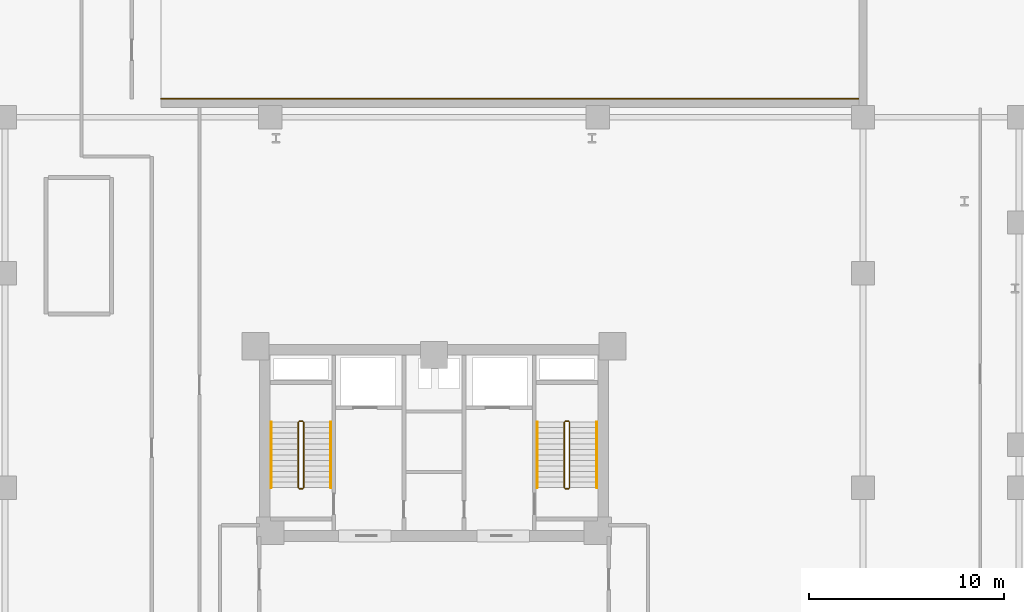
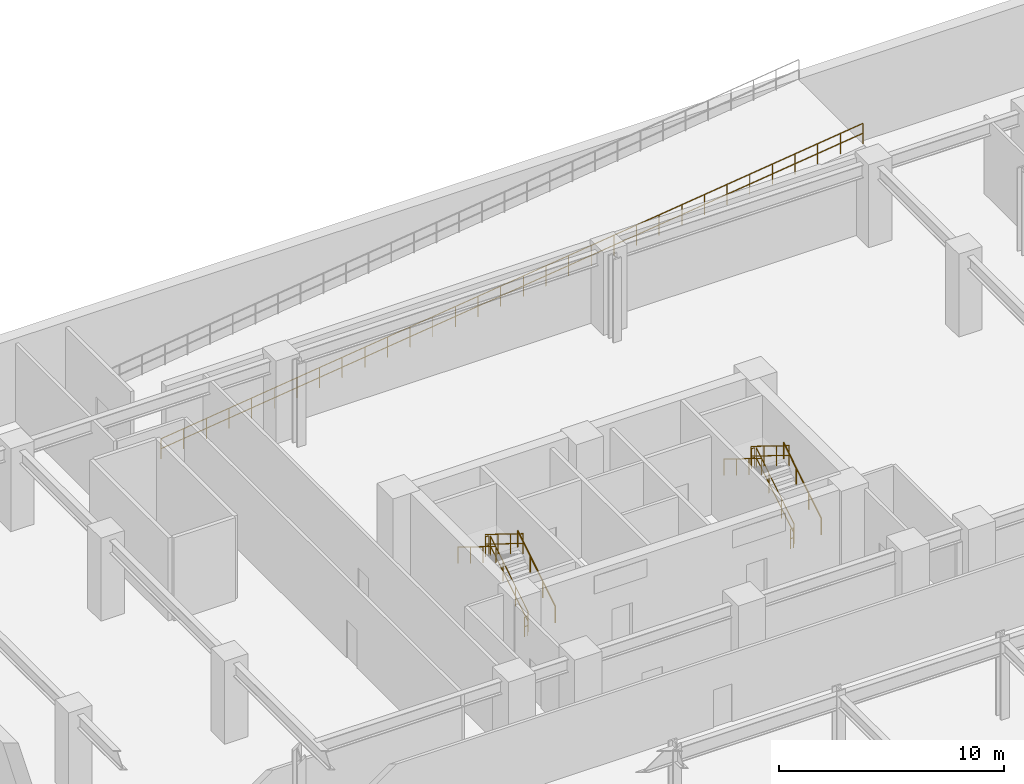
# One storey, part 13 of 15: 13 railings.
"""IFC4 building model written with IfcOpenShell, lengths in metres."""

from ifc_helpers import new_model, si_unit, derived_unit, direction, frame, origin, origin_2d, place, context, subcontext, project, spatial, circle, extrude, material, type_object, element, save


model = new_model("IFC4")

# Units and contexts
model_context = context("Model", 3, precision=1e-05, world=origin(), true_north=direction((0.0, 1.0)))
body_context = subcontext(model_context, "Body", "Model", "MODEL_VIEW")
ifc_project = project(units=[si_unit("LENGTHUNIT", "METRE"), si_unit("AREAUNIT", "SQUARE_METRE"), si_unit("VOLUMEUNIT", "CUBIC_METRE"), si_unit("PLANEANGLEUNIT", "RADIAN"), si_unit("MASSUNIT", "GRAM", prefix="KILO"), derived_unit("THERMALTRANSMITTANCEUNIT", [(si_unit("POWERUNIT", "WATT"), 1), (si_unit("LENGTHUNIT", "METRE"), -2), (si_unit("THERMODYNAMICTEMPERATUREUNIT", "KELVIN"), -1)])], contexts=[model_context])

# Site, building, storey
site_placement = place(None, origin())
site = spatial("IfcSite", under=ifc_project, at=site_placement, CompositionType="ELEMENT")
building_placement = place(site_placement, origin())
building = spatial("IfcBuilding", under=site, at=building_placement, Name="Korsvarv Bourse and Concert Hall", CompositionType="ELEMENT")
storey_placement = place(building_placement, frame((0.0, 0.0, -4.5)))
storey = spatial("IfcBuildingStorey", under=building, at=storey_placement, Name="B01", CompositionType="ELEMENT", Elevation=-4.5)

# Railings
ifc_material_1 = material(Name="Painted Steel S355 stair well guardrail", Category="steel")
railing_type_1 = type_object("IfcRailingType", Name="RL-ST-GRD", PredefinedType="GUARDRAIL", material=ifc_material_1)
railing_1_placement = place(storey_placement, frame((29.31005859375, 40.0, 0.173095703125)))
element("IfcRailing", 1, at=railing_1_placement, inside=storey, type_object=railing_type_1, Name="B01 ST-T1 stair guard 1", PredefinedType="GUARDRAIL", context=body_context, shape_type="SweptSolid", body=[
    extrude(circle(Radius=0.02392578125, at=origin_2d()), frame((0.0, 0.0, 1.076171875), z_axis=(0.0, 0.850623216509, 0.525775754039), x_axis=(-1.0, 0.0, 0.0)), (0.0, 0.0, 1.0), 3.9501953125),
    extrude(circle(Radius=0.02392578125, at=origin_2d()), frame((0.0, 0.0, 0.550048828125), z_axis=(0.0, 0.850623216509, 0.525775754039), x_axis=(-1.0, 0.0, 0.0)), (0.0, 0.0, 1.0), 3.9501953125),
    extrude(circle(Radius=0.02099609375, at=origin_2d()), origin(), (0.0, 0.0, 1.0), 1.052001953125),
    extrude(circle(Radius=0.02099609375, at=origin_2d()), frame((0.0, 1.1201171875, 0.6923828125)), (0.0, 0.0, 1.0), 1.052001953125),
    extrude(circle(Radius=0.02099609375, at=origin_2d()), frame((0.0, 2.239990234375, 1.384521484375)), (0.0, 0.0, 1.0), 1.052001953125),
    extrude(circle(Radius=0.02099609375, at=origin_2d()), frame((0.0, 3.360107421875, 2.076904296875)), (0.0, 0.0, 1.0), 1.052001953125),
])
railing_2_placement = place(storey_placement, frame((29.260009765625, 43.409912109375, 2.25)))
element("IfcRailing", 2, at=railing_2_placement, inside=storey, type_object=railing_type_1, Name="B01 ST-T1 stair guard 2", PredefinedType="GUARDRAIL", context=body_context, shape_type="SweptSolid", body=[
    extrude(circle(Radius=0.02392578125, at=origin_2d()), frame((0.0, 0.0, 1.076171875), z_axis=(-1.0, 0.0, 0.0), x_axis=(0.0, -1.0, 0.0)), (0.0, 0.0, 1.0), 0.159912109375),
    extrude(circle(Radius=0.02392578125, at=origin_2d()), frame((0.0, 0.0, 0.550048828125), z_axis=(-1.0, 0.0, 0.0), x_axis=(0.0, -1.0, 0.0)), (0.0, 0.0, 1.0), 0.159912109375),
    extrude(circle(Radius=0.02099609375, at=origin_2d()), origin(), (0.0, 0.0, 1.0), 1.052001953125),
    extrude(circle(Radius=0.02099609375, at=origin_2d()), frame((-0.159912109375, 0.0, 0.0)), (0.0, 0.0, 1.0), 1.052001953125),
])
railing_3_placement = place(storey_placement, frame((29.050048828125, 43.360107421875, 2.423095703125)))
element("IfcRailing", 3, at=railing_3_placement, inside=storey, type_object=railing_type_1, Name="B01 ST-T1 stair guard 3", PredefinedType="GUARDRAIL", context=body_context, shape_type="SweptSolid", body=[
    extrude(circle(Radius=0.02392578125, at=origin_2d()), frame((0.0, 0.0, 1.076171875), z_axis=(0.0, -0.850623216509, 0.525775754039), x_axis=(1.0, 0.0, 0.0)), (0.0, 0.0, 1.0), 3.9501953125),
    extrude(circle(Radius=0.02392578125, at=origin_2d()), frame((0.0, 0.0, 0.550048828125), z_axis=(0.0, -0.850623216509, 0.525775754039), x_axis=(1.0, 0.0, 0.0)), (0.0, 0.0, 1.0), 3.9501953125),
    extrude(circle(Radius=0.02099609375, at=origin_2d()), origin(), (0.0, 0.0, 1.0), 1.052001953125),
    extrude(circle(Radius=0.02099609375, at=origin_2d()), frame((0.0, -1.1201171875, 0.6923828125)), (0.0, 0.0, 1.0), 1.052001953125),
    extrude(circle(Radius=0.02099609375, at=origin_2d()), frame((0.0, -2.239990234375, 1.384521484375)), (0.0, 0.0, 1.0), 1.052001953125),
    extrude(circle(Radius=0.02099609375, at=origin_2d()), frame((0.0, -3.360107421875, 2.076904296875)), (0.0, 0.0, 1.0), 1.052001953125),
])
railing_4_placement = place(storey_placement, frame((29.260009765625, 39.949951171875, 0.0)))
element("IfcRailing", 4, at=railing_4_placement, inside=storey, type_object=railing_type_1, Name="B01 ST-T1 stair guard 4", PredefinedType="GUARDRAIL", context=body_context, shape_type="SweptSolid", body=[
    extrude(circle(Radius=0.02392578125, at=origin_2d()), frame((0.0, 0.0, 1.076171875), z_axis=(-1.0, 0.0, 0.0), x_axis=(0.0, -1.0, 0.0)), (0.0, 0.0, 1.0), 0.159912109375),
    extrude(circle(Radius=0.02392578125, at=origin_2d()), frame((0.0, 0.0, 0.550048828125), z_axis=(-1.0, 0.0, 0.0), x_axis=(0.0, -1.0, 0.0)), (0.0, 0.0, 1.0), 0.159912109375),
    extrude(circle(Radius=0.02099609375, at=origin_2d()), origin(), (0.0, 0.0, 1.0), 1.052001953125),
    extrude(circle(Radius=0.02099609375, at=origin_2d()), frame((-0.159912109375, 0.0, 0.0)), (0.0, 0.0, 1.0), 1.052001953125),
])
railing_5_placement = place(storey_placement, frame((42.949951171875, 40.0, 0.173095703125)))
element("IfcRailing", 5, at=railing_5_placement, inside=storey, type_object=railing_type_1, Name="B01 ST-T2 stair guard 1", PredefinedType="GUARDRAIL", context=body_context, shape_type="SweptSolid", body=[
    extrude(circle(Radius=0.02392578125, at=origin_2d()), frame((0.0, 0.0, 1.076171875), z_axis=(0.0, 0.850623216509, 0.525775754039), x_axis=(-1.0, 0.0, 0.0)), (0.0, 0.0, 1.0), 3.9501953125),
    extrude(circle(Radius=0.02392578125, at=origin_2d()), frame((0.0, 0.0, 0.550048828125), z_axis=(0.0, 0.850623216509, 0.525775754039), x_axis=(-1.0, 0.0, 0.0)), (0.0, 0.0, 1.0), 3.9501953125),
    extrude(circle(Radius=0.02099609375, at=origin_2d()), origin(), (0.0, 0.0, 1.0), 1.052001953125),
    extrude(circle(Radius=0.02099609375, at=origin_2d()), frame((0.0, 1.1201171875, 0.6923828125)), (0.0, 0.0, 1.0), 1.052001953125),
    extrude(circle(Radius=0.02099609375, at=origin_2d()), frame((0.0, 2.239990234375, 1.384521484375)), (0.0, 0.0, 1.0), 1.052001953125),
    extrude(circle(Radius=0.02099609375, at=origin_2d()), frame((0.0, 3.360107421875, 2.076904296875)), (0.0, 0.0, 1.0), 1.052001953125),
])
railing_6_placement = place(storey_placement, frame((42.89990234375, 43.409912109375, 2.25)))
element("IfcRailing", 6, at=railing_6_placement, inside=storey, type_object=railing_type_1, Name="B01 ST-T2 stair guard 2", PredefinedType="GUARDRAIL", context=body_context, shape_type="SweptSolid", body=[
    extrude(circle(Radius=0.02392578125, at=origin_2d()), frame((0.0, 0.0, 1.076171875), z_axis=(-1.0, 0.0, 0.0), x_axis=(0.0, -1.0, 0.0)), (0.0, 0.0, 1.0), 0.159912109375),
    extrude(circle(Radius=0.02392578125, at=origin_2d()), frame((0.0, 0.0, 0.550048828125), z_axis=(-1.0, 0.0, 0.0), x_axis=(0.0, -1.0, 0.0)), (0.0, 0.0, 1.0), 0.159912109375),
    extrude(circle(Radius=0.02099609375, at=origin_2d()), origin(), (0.0, 0.0, 1.0), 1.052001953125),
    extrude(circle(Radius=0.02099609375, at=origin_2d()), frame((-0.159912109375, 0.0, 0.0)), (0.0, 0.0, 1.0), 1.052001953125),
])
railing_7_placement = place(storey_placement, frame((42.68994140625, 43.360107421875, 2.423095703125)))
element("IfcRailing", 7, at=railing_7_placement, inside=storey, type_object=railing_type_1, Name="B01 ST-T2 stair guard 3", PredefinedType="GUARDRAIL", context=body_context, shape_type="SweptSolid", body=[
    extrude(circle(Radius=0.02392578125, at=origin_2d()), frame((0.0, 0.0, 1.076171875), z_axis=(0.0, -0.850623216509, 0.525775754039), x_axis=(1.0, 0.0, 0.0)), (0.0, 0.0, 1.0), 3.9501953125),
    extrude(circle(Radius=0.02392578125, at=origin_2d()), frame((0.0, 0.0, 0.550048828125), z_axis=(0.0, -0.850623216509, 0.525775754039), x_axis=(1.0, 0.0, 0.0)), (0.0, 0.0, 1.0), 3.9501953125),
    extrude(circle(Radius=0.02099609375, at=origin_2d()), origin(), (0.0, 0.0, 1.0), 1.052001953125),
    extrude(circle(Radius=0.02099609375, at=origin_2d()), frame((0.0, -1.1201171875, 0.6923828125)), (0.0, 0.0, 1.0), 1.052001953125),
    extrude(circle(Radius=0.02099609375, at=origin_2d()), frame((0.0, -2.239990234375, 1.384521484375)), (0.0, 0.0, 1.0), 1.052001953125),
    extrude(circle(Radius=0.02099609375, at=origin_2d()), frame((0.0, -3.360107421875, 2.076904296875)), (0.0, 0.0, 1.0), 1.052001953125),
])
railing_8_placement = place(storey_placement, frame((42.89990234375, 39.949951171875, 0.0)))
element("IfcRailing", 8, at=railing_8_placement, inside=storey, type_object=railing_type_1, Name="B01 ST-T2 stair guard 4", PredefinedType="GUARDRAIL", context=body_context, shape_type="SweptSolid", body=[
    extrude(circle(Radius=0.02392578125, at=origin_2d()), frame((0.0, 0.0, 1.076171875), z_axis=(-1.0, 0.0, 0.0), x_axis=(0.0, -1.0, 0.0)), (0.0, 0.0, 1.0), 0.159912109375),
    extrude(circle(Radius=0.02392578125, at=origin_2d()), frame((0.0, 0.0, 0.550048828125), z_axis=(-1.0, 0.0, 0.0), x_axis=(0.0, -1.0, 0.0)), (0.0, 0.0, 1.0), 0.159912109375),
    extrude(circle(Radius=0.02099609375, at=origin_2d()), origin(), (0.0, 0.0, 1.0), 1.052001953125),
    extrude(circle(Radius=0.02099609375, at=origin_2d()), frame((-0.159912109375, 0.0, 0.0)), (0.0, 0.0, 1.0), 1.052001953125),
])
railing_9_placement = place(storey_placement, frame((22.0, 59.949951171875, 0.0)))
element("IfcRailing", 9, at=railing_9_placement, inside=storey, type_object=railing_type_1, Name="B01 vehicle ramp side guardrail S", PredefinedType="GUARDRAIL", context=body_context, shape_type="SweptSolid", body=[
    extrude(circle(Radius=0.02392578125, at=origin_2d()), frame((0.0, 0.0, 1.09619140625), z_axis=(0.992277876714, 0.0, 0.124034734589), x_axis=(0.0, 1.0, 0.0)), (0.0, 0.0, 1.0), 36.2802734375),
    extrude(circle(Radius=0.02392578125, at=origin_2d()), frame((0.0, 0.0, 0.56005859375), z_axis=(0.992277876714, 0.0, 0.124034734589), x_axis=(0.0, 1.0, 0.0)), (0.0, 0.0, 1.0), 36.2802734375),
    extrude(circle(Radius=0.02099609375, at=origin_2d()), origin(), (0.0, 0.0, 1.0), 1.072021484375),
    extrude(circle(Radius=0.02099609375, at=origin_2d()), frame((1.161376953125, 0.0, 0.145263671875)), (0.0, 0.0, 1.0), 1.072021484375),
    extrude(circle(Radius=0.02099609375, at=origin_2d()), frame((2.322509765625, 0.0, 0.290283203125)), (0.0, 0.0, 1.0), 1.072021484375),
    extrude(circle(Radius=0.02099609375, at=origin_2d()), frame((3.48388671875, 0.0, 0.435546875)), (0.0, 0.0, 1.0), 1.072021484375),
    extrude(circle(Radius=0.02099609375, at=origin_2d()), frame((4.645263671875, 0.0, 0.58056640625)), (0.0, 0.0, 1.0), 1.072021484375),
    extrude(circle(Radius=0.02099609375, at=origin_2d()), frame((5.806396484375, 0.0, 0.725830078125)), (0.0, 0.0, 1.0), 1.072021484375),
    extrude(circle(Radius=0.02099609375, at=origin_2d()), frame((6.9677734375, 0.0, 0.870849609375)), (0.0, 0.0, 1.0), 1.072021484375),
    extrude(circle(Radius=0.02099609375, at=origin_2d()), frame((8.129150390625, 0.0, 1.01611328125)), (0.0, 0.0, 1.0), 1.072021484375),
    extrude(circle(Radius=0.02099609375, at=origin_2d()), frame((9.290283203125, 0.0, 1.161376953125)), (0.0, 0.0, 1.0), 1.072021484375),
    extrude(circle(Radius=0.02099609375, at=origin_2d()), frame((10.45166015625, 0.0, 1.306396484375)), (0.0, 0.0, 1.0), 1.072021484375),
    extrude(circle(Radius=0.02099609375, at=origin_2d()), frame((11.61279296875, 0.0, 1.45166015625)), (0.0, 0.0, 1.0), 1.072021484375),
    extrude(circle(Radius=0.02099609375, at=origin_2d()), frame((12.774169921875, 0.0, 1.5966796875)), (0.0, 0.0, 1.0), 1.072021484375),
    extrude(circle(Radius=0.02099609375, at=origin_2d()), frame((13.935546875, 0.0, 1.741943359375)), (0.0, 0.0, 1.0), 1.072021484375),
    extrude(circle(Radius=0.02099609375, at=origin_2d()), frame((15.0966796875, 0.0, 1.88720703125)), (0.0, 0.0, 1.0), 1.072021484375),
    extrude(circle(Radius=0.02099609375, at=origin_2d()), frame((16.258056640625, 0.0, 2.0322265625)), (0.0, 0.0, 1.0), 1.072021484375),
    extrude(circle(Radius=0.02099609375, at=origin_2d()), frame((17.41943359375, 0.0, 2.177490234375)), (0.0, 0.0, 1.0), 1.072021484375),
    extrude(circle(Radius=0.02099609375, at=origin_2d()), frame((18.58056640625, 0.0, 2.322509765625)), (0.0, 0.0, 1.0), 1.072021484375),
    extrude(circle(Radius=0.02099609375, at=origin_2d()), frame((19.741943359375, 0.0, 2.4677734375)), (0.0, 0.0, 1.0), 1.072021484375),
    extrude(circle(Radius=0.02099609375, at=origin_2d()), frame((20.9033203125, 0.0, 2.61279296875)), (0.0, 0.0, 1.0), 1.072021484375),
    extrude(circle(Radius=0.02099609375, at=origin_2d()), frame((22.064453125, 0.0, 2.758056640625)), (0.0, 0.0, 1.0), 1.072021484375),
    extrude(circle(Radius=0.02099609375, at=origin_2d()), frame((23.225830078125, 0.0, 2.9033203125)), (0.0, 0.0, 1.0), 1.072021484375),
    extrude(circle(Radius=0.02099609375, at=origin_2d()), frame((24.38720703125, 0.0, 3.04833984375)), (0.0, 0.0, 1.0), 1.072021484375),
    extrude(circle(Radius=0.02099609375, at=origin_2d()), frame((25.54833984375, 0.0, 3.193603515625)), (0.0, 0.0, 1.0), 1.072021484375),
    extrude(circle(Radius=0.02099609375, at=origin_2d()), frame((26.709716796875, 0.0, 3.338623046875)), (0.0, 0.0, 1.0), 1.072021484375),
    extrude(circle(Radius=0.02099609375, at=origin_2d()), frame((27.870849609375, 0.0, 3.48388671875)), (0.0, 0.0, 1.0), 1.072021484375),
    extrude(circle(Radius=0.02099609375, at=origin_2d()), frame((29.0322265625, 0.0, 3.629150390625)), (0.0, 0.0, 1.0), 1.072021484375),
    extrude(circle(Radius=0.02099609375, at=origin_2d()), frame((30.193603515625, 0.0, 3.774169921875)), (0.0, 0.0, 1.0), 1.072021484375),
    extrude(circle(Radius=0.02099609375, at=origin_2d()), frame((31.354736328125, 0.0, 3.91943359375)), (0.0, 0.0, 1.0), 1.072021484375),
    extrude(circle(Radius=0.02099609375, at=origin_2d()), frame((32.51611328125, 0.0, 4.064453125)), (0.0, 0.0, 1.0), 1.072021484375),
    extrude(circle(Radius=0.02099609375, at=origin_2d()), frame((33.677490234375, 0.0, 4.209716796875)), (0.0, 0.0, 1.0), 1.072021484375),
    extrude(circle(Radius=0.02099609375, at=origin_2d()), frame((34.838623046875, 0.0, 4.354736328125)), (0.0, 0.0, 1.0), 1.072021484375),
    extrude(circle(Radius=0.02099609375, at=origin_2d()), frame((36.0, 0.0, 4.5)), (0.0, 0.0, 1.0), 1.072021484375),
])
ifc_material_2 = material(Name="Brushed stainless Steel S355 tubular handrail", Category="steel")
railing_type_2 = type_object("IfcRailingType", Name="RL-ST-HND", PredefinedType="HANDRAIL", material=ifc_material_2)
railing_10_placement = place(storey_placement, frame((30.7099609375, 40.0, 0.173095703125)))
element("IfcRailing", 10, at=railing_10_placement, inside=storey, type_object=railing_type_2, Name="B01 ST-T1 stair handrail 1", PredefinedType="HANDRAIL", context=body_context, shape_type="SweptSolid", body=[
    extrude(circle(Radius=0.02392578125, at=origin_2d()), frame((0.0, 0.0, 0.8759765625), z_axis=(0.0, 0.850623216509, 0.525775754039), x_axis=(-1.0, 0.0, 0.0)), (0.0, 0.0, 1.0), 3.9501953125),
    extrude(circle(Radius=0.02099609375, at=origin_2d()), origin(), (0.0, 0.0, 1.0), 0.851806640625),
    extrude(circle(Radius=0.02099609375, at=origin_2d()), frame((0.0, 1.1201171875, 0.6923828125)), (0.0, 0.0, 1.0), 0.851806640625),
    extrude(circle(Radius=0.02099609375, at=origin_2d()), frame((0.0, 2.239990234375, 1.384521484375)), (0.0, 0.0, 1.0), 0.851806640625),
    extrude(circle(Radius=0.02099609375, at=origin_2d()), frame((0.0, 3.360107421875, 2.076904296875)), (0.0, 0.0, 1.0), 0.851806640625),
])
railing_11_placement = place(storey_placement, frame((27.64990234375, 43.360107421875, 2.423095703125)))
element("IfcRailing", 11, at=railing_11_placement, inside=storey, type_object=railing_type_2, Name="B01 ST-T1 stair handrail 2", PredefinedType="HANDRAIL", context=body_context, shape_type="SweptSolid", body=[
    extrude(circle(Radius=0.02392578125, at=origin_2d()), frame((0.0, 0.0, 0.8759765625), z_axis=(0.0, -0.850623216509, 0.525775754039), x_axis=(1.0, 0.0, 0.0)), (0.0, 0.0, 1.0), 3.9501953125),
    extrude(circle(Radius=0.02099609375, at=origin_2d()), origin(), (0.0, 0.0, 1.0), 0.851806640625),
    extrude(circle(Radius=0.02099609375, at=origin_2d()), frame((0.0, -1.1201171875, 0.6923828125)), (0.0, 0.0, 1.0), 0.851806640625),
    extrude(circle(Radius=0.02099609375, at=origin_2d()), frame((0.0, -2.239990234375, 1.384521484375)), (0.0, 0.0, 1.0), 0.851806640625),
    extrude(circle(Radius=0.02099609375, at=origin_2d()), frame((0.0, -3.360107421875, 2.076904296875)), (0.0, 0.0, 1.0), 0.851806640625),
])
railing_12_placement = place(storey_placement, frame((44.35009765625, 40.0, 0.173095703125)))
element("IfcRailing", 12, at=railing_12_placement, inside=storey, type_object=railing_type_2, Name="B01 ST-T2 stair handrail 1", PredefinedType="HANDRAIL", context=body_context, shape_type="SweptSolid", body=[
    extrude(circle(Radius=0.02392578125, at=origin_2d()), frame((0.0, 0.0, 0.8759765625), z_axis=(0.0, 0.850623216509, 0.525775754039), x_axis=(-1.0, 0.0, 0.0)), (0.0, 0.0, 1.0), 3.9501953125),
    extrude(circle(Radius=0.02099609375, at=origin_2d()), origin(), (0.0, 0.0, 1.0), 0.851806640625),
    extrude(circle(Radius=0.02099609375, at=origin_2d()), frame((0.0, 1.1201171875, 0.6923828125)), (0.0, 0.0, 1.0), 0.851806640625),
    extrude(circle(Radius=0.02099609375, at=origin_2d()), frame((0.0, 2.239990234375, 1.384521484375)), (0.0, 0.0, 1.0), 0.851806640625),
    extrude(circle(Radius=0.02099609375, at=origin_2d()), frame((0.0, 3.360107421875, 2.076904296875)), (0.0, 0.0, 1.0), 0.851806640625),
])
railing_13_placement = place(storey_placement, frame((41.2900390625, 43.360107421875, 2.423095703125)))
element("IfcRailing", 13, at=railing_13_placement, inside=storey, type_object=railing_type_2, Name="B01 ST-T2 stair handrail 2", PredefinedType="HANDRAIL", context=body_context, shape_type="SweptSolid", body=[
    extrude(circle(Radius=0.02392578125, at=origin_2d()), frame((0.0, 0.0, 0.8759765625), z_axis=(0.0, -0.850623216509, 0.525775754039), x_axis=(1.0, 0.0, 0.0)), (0.0, 0.0, 1.0), 3.9501953125),
    extrude(circle(Radius=0.02099609375, at=origin_2d()), origin(), (0.0, 0.0, 1.0), 0.851806640625),
    extrude(circle(Radius=0.02099609375, at=origin_2d()), frame((0.0, -1.1201171875, 0.6923828125)), (0.0, 0.0, 1.0), 0.851806640625),
    extrude(circle(Radius=0.02099609375, at=origin_2d()), frame((0.0, -2.239990234375, 1.384521484375)), (0.0, 0.0, 1.0), 0.851806640625),
    extrude(circle(Radius=0.02099609375, at=origin_2d()), frame((0.0, -3.360107421875, 2.076904296875)), (0.0, 0.0, 1.0), 0.851806640625),
])

save(model, "model.ifc")
